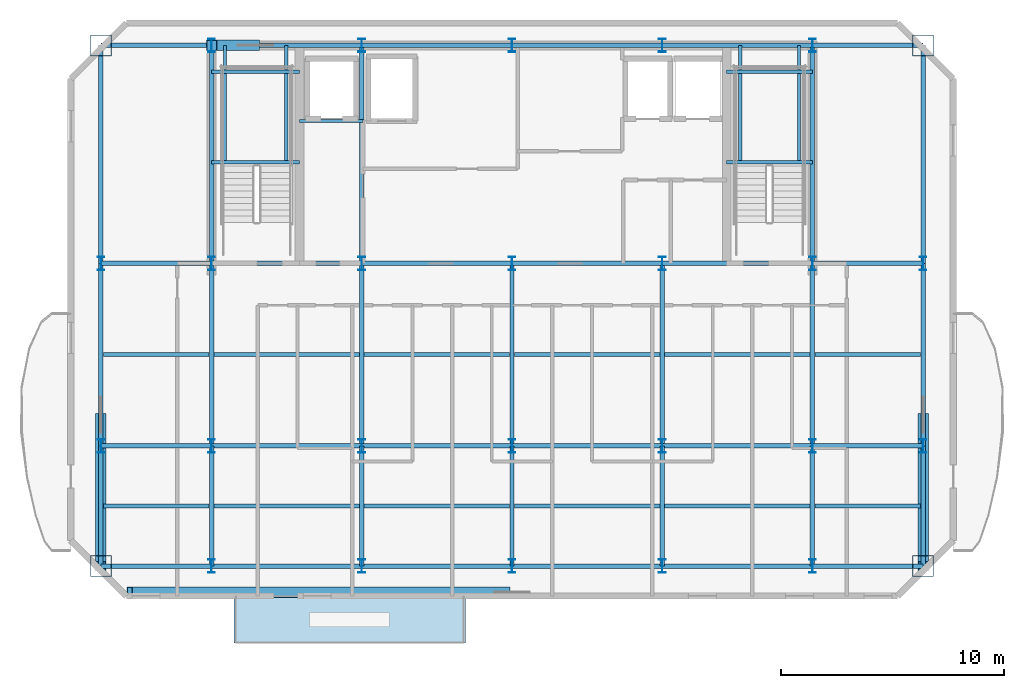
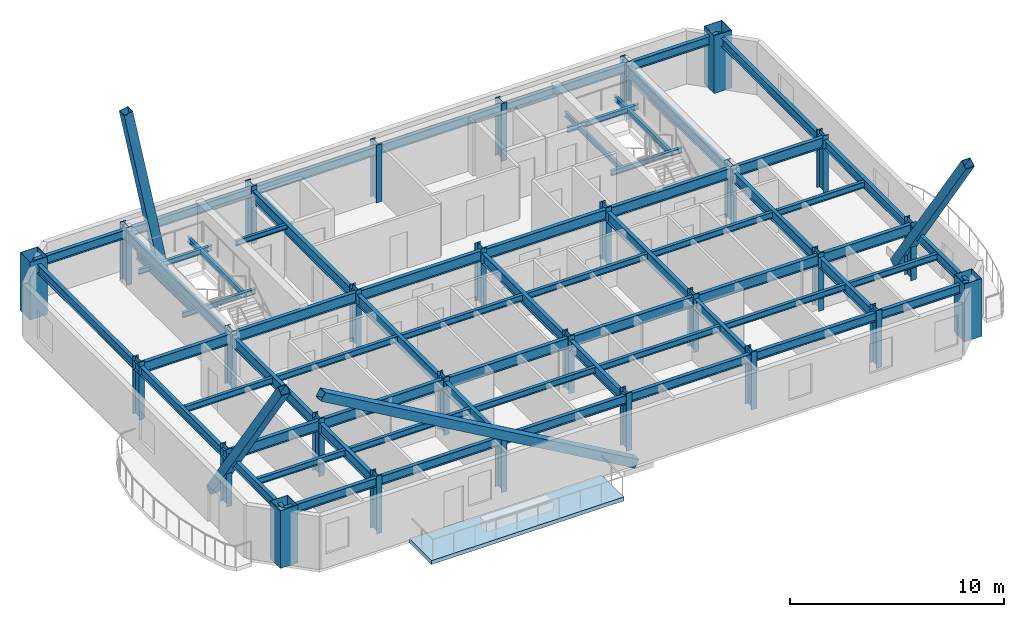
# One storey, part 1 of 6: 64 beams, 28 columns, 4 members, 1 slab.
"""IFC4 building model written with IfcOpenShell, lengths in metres."""

from ifc_helpers import new_model, si_unit, direction, frame, origin, origin_2d, place, context, subcontext, project, spatial, polyline, hollow_rectangle, i_section, outline, extrude, material, layer, layer_set, material_profile, profile_set, type_object, element, save


model = new_model("IFC4")

# Units and contexts
model_context = context("Model", 3, precision=1e-05, world=origin(), true_north=direction((0.0, 1.0)))
body_context = subcontext(model_context, "Body", "Model", "MODEL_VIEW")
ifc_project = project(units=[si_unit("LENGTHUNIT", "METRE"), si_unit("AREAUNIT", "SQUARE_METRE"), si_unit("VOLUMEUNIT", "CUBIC_METRE"), si_unit("PLANEANGLEUNIT", "RADIAN"), si_unit("MASSUNIT", "GRAM", prefix="KILO")], contexts=[model_context])

# Site, building, storey
site_placement = place(None, origin())
site = spatial("IfcSite", under=ifc_project, at=site_placement, CompositionType="ELEMENT")
building_placement = place(site_placement, origin())
building = spatial("IfcBuilding", under=site, at=building_placement, Name="Haevon Station Towers", CompositionType="ELEMENT")
storey_placement = place(building_placement, frame((0.0, 0.0, 249.300048828125)))
storey = spatial("IfcBuildingStorey", under=building, at=storey_placement, Name="L69", CompositionType="ELEMENT", Elevation=249.300048828125)

# Columns
ifc_material_1 = material(Name="Steel S460", Category="steel")
ifc_material_profile_1 = material_profile(ifc_material_1, hollow_rectangle(XDim=0.949951171875, YDim=0.949951171875, WallThickness=0.028076171875, at=origin_2d()), Name="BOX-950x950x28")
ifc_profile_set_1 = profile_set([ifc_material_profile_1], Name="Steel S460")
column_type_1 = type_object("IfcColumnType", Name="COL-MC6", PredefinedType="COLUMN", material=ifc_profile_set_1)
for number, where, z_axis, x_axis, name in (
    (1, (19.02490234375, 24.60009765625, 0.0), (0.0, 0.0, 1.0), (1.0, 0.0, 0.0), "COL-T1-L69-01-01"),
    (2, (19.02490234375, 48.0, 0.0), (0.0, 0.0, 1.0), (1.0, 0.0, 0.0), "COL-T1-L69-01-04"),
    (3, (55.97509765625, 24.60009765625, 0.0), (0.0, 0.0, 1.0), (1.0, 0.0, 0.0), "COL-T1-L69-07-01"),
    (4, (55.97509765625, 48.0, 0.0), (0.0, 0.0, 1.0), (1.0, 0.0, 0.0), "COL-T1-L69-07-04"),
):
    element("IfcColumn", number, at=place(storey_placement, frame(where, z_axis=z_axis, x_axis=x_axis)), inside=storey, type_object=column_type_1, Name=name, PredefinedType="COLUMN", context=body_context, shape_type="SweptSolid", body=[
        extrude(hollow_rectangle(XDim=0.949951171875, YDim=0.949951171875, WallThickness=0.028076171875, at=origin_2d()), origin(), (0.0, 0.0, 1.0), 3.300048828125),
    ])
ifc_material_2 = material(Name="Steel S355", Category="steel")
ifc_material_profile_2 = material_profile(ifc_material_2, i_section(OverallWidth=0.300048828125, OverallDepth=0.60009765625, WebThickness=0.013916015625, FlangeThickness=0.02490234375, at=origin_2d()), Name="H-600x300x14x25")
ifc_profile_set_2 = profile_set([ifc_material_profile_2], Name="Steel S355")
column_type_2 = type_object("IfcColumnType", Name="COL-TW4", PredefinedType="COLUMN", material=ifc_profile_set_2)
for number, where, z_axis, x_axis, name in (
    (5, (19.02490234375, 30.0, 0.0), (0.0, 0.0, 1.0), (1.0, 0.0, 0.0), "COL-T1-L69-01-02"),
    (6, (19.02490234375, 38.199951171875, 0.0), (0.0, 0.0, 1.0), (1.0, 0.0, 0.0), "COL-T1-L69-01-03"),
    (7, (24.0, 24.60009765625, 0.0), (0.0, 0.0, 1.0), (1.0, 0.0, 0.0), "COL-T1-L69-02-01"),
    (8, (24.0, 30.0, 0.0), (0.0, 0.0, 1.0), (1.0, 0.0, 0.0), "COL-T1-L69-02-02"),
    (9, (24.0, 38.199951171875, 0.0), (0.0, 0.0, 1.0), (1.0, 0.0, 0.0), "COL-T1-L69-02-03"),
    (10, (24.0, 48.0, 0.0), (0.0, 0.0, 1.0), (1.0, 0.0, 0.0), "COL-T1-L69-02-04"),
    (11, (30.75, 24.60009765625, 0.0), (0.0, 0.0, 1.0), (1.0, 0.0, 0.0), "COL-T1-L69-03-01"),
    (12, (30.75, 30.0, 0.0), (0.0, 0.0, 1.0), (1.0, 0.0, 0.0), "COL-T1-L69-03-02"),
    (13, (30.75, 38.199951171875, 0.0), (0.0, 0.0, 1.0), (1.0, 0.0, 0.0), "COL-T1-L69-03-03"),
    (14, (30.75, 48.0, 0.0), (0.0, 0.0, 1.0), (1.0, 0.0, 0.0), "COL-T1-L69-03-04"),
    (15, (37.5, 24.60009765625, 0.0), (0.0, 0.0, 1.0), (1.0, 0.0, 0.0), "COL-T1-L69-04-01"),
    (16, (37.5, 30.0, 0.0), (0.0, 0.0, 1.0), (1.0, 0.0, 0.0), "COL-T1-L69-04-02"),
    (17, (37.5, 38.199951171875, 0.0), (0.0, 0.0, 1.0), (1.0, 0.0, 0.0), "COL-T1-L69-04-03"),
    (18, (37.5, 48.0, 0.0), (0.0, 0.0, 1.0), (1.0, 0.0, 0.0), "COL-T1-L69-04-04"),
    (19, (44.25, 24.60009765625, 0.0), (0.0, 0.0, 1.0), (1.0, 0.0, 0.0), "COL-T1-L69-05-01"),
    (20, (44.25, 30.0, 0.0), (0.0, 0.0, 1.0), (1.0, 0.0, 0.0), "COL-T1-L69-05-02"),
    (21, (44.25, 38.199951171875, 0.0), (0.0, 0.0, 1.0), (1.0, 0.0, 0.0), "COL-T1-L69-05-03"),
    (22, (44.25, 48.0, 0.0), (0.0, 0.0, 1.0), (1.0, 0.0, 0.0), "COL-T1-L69-05-04"),
    (23, (51.0, 24.60009765625, 0.0), (0.0, 0.0, 1.0), (1.0, 0.0, 0.0), "COL-T1-L69-06-01"),
    (24, (51.0, 30.0, 0.0), (0.0, 0.0, 1.0), (1.0, 0.0, 0.0), "COL-T1-L69-06-02"),
    (25, (51.0, 38.199951171875, 0.0), (0.0, 0.0, 1.0), (1.0, 0.0, 0.0), "COL-T1-L69-06-03"),
    (26, (51.0, 48.0, 0.0), (0.0, 0.0, 1.0), (1.0, 0.0, 0.0), "COL-T1-L69-06-04"),
    (27, (55.97509765625, 30.0, 0.0), (0.0, 0.0, 1.0), (1.0, 0.0, 0.0), "COL-T1-L69-07-02"),
    (28, (55.97509765625, 38.199951171875, 0.0), (0.0, 0.0, 1.0), (1.0, 0.0, 0.0), "COL-T1-L69-07-03"),
):
    element("IfcColumn", number, at=place(storey_placement, frame(where, z_axis=z_axis, x_axis=x_axis)), inside=storey, type_object=column_type_2, Name=name, PredefinedType="COLUMN", context=body_context, shape_type="SweptSolid", body=[
        extrude(i_section(OverallWidth=0.300048828125, OverallDepth=0.60009765625, WebThickness=0.013916015625, FlangeThickness=0.02490234375, at=origin_2d()), origin(), (0.0, 0.0, 1.0), 3.300048828125),
    ])

# Beams
ifc_material_profile_3 = material_profile(ifc_material_2, i_section(OverallWidth=0.199951171875, OverallDepth=0.60009765625, WebThickness=0.010986328125, FlangeThickness=0.01708984375, at=origin_2d()), Name="H-600x200x11x17")
ifc_profile_set_3 = profile_set([ifc_material_profile_3], Name="Steel S355")
beam_type_1 = type_object("IfcBeamType", Name="BM-G600", PredefinedType="BEAM", material=ifc_profile_set_3)
beam_1_placement = place(storey_placement, frame((19.02490234375, 30.0, 2.75), z_axis=(1.0, 0.0, 0.0), x_axis=(0.0, 1.0, 0.0)))
element("IfcBeam", 29, at=beam_1_placement, inside=storey, type_object=beam_type_1, Name="BM-T1U-L69-02-01", PredefinedType="BEAM", context=body_context, shape_type="SweptSolid", body=[
    extrude(i_section(OverallWidth=0.199951171875, OverallDepth=0.60009765625, WebThickness=0.010986328125, FlangeThickness=0.01708984375, at=origin_2d()), origin(), (0.0, 0.0, 1.0), 4.97509765625),
])
for number, where, z_axis, x_axis, name in (
    (30, (24.0, 30.0, 2.75), (1.0, 0.0, 0.0), (0.0, 1.0, 0.0), "BM-T1U-L69-02-02"),
    (31, (30.75, 30.0, 2.75), (1.0, 0.0, 0.0), (0.0, 1.0, 0.0), "BM-T1U-L69-02-03"),
    (32, (37.5, 30.0, 2.75), (1.0, 0.0, 0.0), (0.0, 1.0, 0.0), "BM-T1U-L69-02-04"),
    (33, (44.25, 30.0, 2.75), (1.0, 0.0, 0.0), (0.0, 1.0, 0.0), "BM-T1U-L69-02-05"),
):
    element("IfcBeam", number, at=place(storey_placement, frame(where, z_axis=z_axis, x_axis=x_axis)), inside=storey, type_object=beam_type_1, Name=name, PredefinedType="BEAM", context=body_context, shape_type="SweptSolid", body=[
        extrude(i_section(OverallWidth=0.199951171875, OverallDepth=0.60009765625, WebThickness=0.010986328125, FlangeThickness=0.01708984375, at=origin_2d()), origin(), (0.0, 0.0, 1.0), 6.75),
    ])
for number, where, z_axis, x_axis, name in (
    (34, (51.0, 30.0, 2.75), (1.0, 0.0, 0.0), (0.0, 1.0, 0.0), "BM-T1U-L69-02-06"),
    (35, (19.02490234375, 38.199951171875, 2.75), (1.0, 0.0, 0.0), (0.0, 1.0, 0.0), "BM-T1U-L69-03-01"),
):
    element("IfcBeam", number, at=place(storey_placement, frame(where, z_axis=z_axis, x_axis=x_axis)), inside=storey, type_object=beam_type_1, Name=name, PredefinedType="BEAM", context=body_context, shape_type="SweptSolid", body=[
        extrude(i_section(OverallWidth=0.199951171875, OverallDepth=0.60009765625, WebThickness=0.010986328125, FlangeThickness=0.01708984375, at=origin_2d()), origin(), (0.0, 0.0, 1.0), 4.97509765625),
    ])
for number, where, z_axis, x_axis, name in (
    (36, (24.0, 38.199951171875, 2.75), (1.0, 0.0, 0.0), (0.0, 1.0, 0.0), "BM-T1U-L69-03-02"),
    (37, (30.75, 38.199951171875, 2.75), (1.0, 0.0, 0.0), (0.0, 1.0, 0.0), "BM-T1U-L69-03-03"),
    (38, (37.5, 38.199951171875, 2.75), (1.0, 0.0, 0.0), (0.0, 1.0, 0.0), "BM-T1U-L69-03-04"),
    (39, (44.25, 38.199951171875, 2.75), (1.0, 0.0, 0.0), (0.0, 1.0, 0.0), "BM-T1U-L69-03-05"),
):
    element("IfcBeam", number, at=place(storey_placement, frame(where, z_axis=z_axis, x_axis=x_axis)), inside=storey, type_object=beam_type_1, Name=name, PredefinedType="BEAM", context=body_context, shape_type="SweptSolid", body=[
        extrude(i_section(OverallWidth=0.199951171875, OverallDepth=0.60009765625, WebThickness=0.010986328125, FlangeThickness=0.01708984375, at=origin_2d()), origin(), (0.0, 0.0, 1.0), 6.75),
    ])
beam_2_placement = place(storey_placement, frame((51.0, 38.199951171875, 2.75), z_axis=(1.0, 0.0, 0.0), x_axis=(0.0, 1.0, 0.0)))
element("IfcBeam", 40, at=beam_2_placement, inside=storey, type_object=beam_type_1, Name="BM-T1U-L69-03-06", PredefinedType="BEAM", context=body_context, shape_type="SweptSolid", body=[
    extrude(i_section(OverallWidth=0.199951171875, OverallDepth=0.60009765625, WebThickness=0.010986328125, FlangeThickness=0.01708984375, at=origin_2d()), origin(), (0.0, 0.0, 1.0), 4.97509765625),
])
beam_3_placement = place(storey_placement, frame((24.0, 24.60009765625, 2.75), z_axis=(0.0, 1.0, 0.0), x_axis=(-1.0, 0.0, 0.0)))
element("IfcBeam", 41, at=beam_3_placement, inside=storey, type_object=beam_type_1, Name="BM-T1V-L69-02-01", PredefinedType="BEAM", context=body_context, shape_type="SweptSolid", body=[
    extrude(i_section(OverallWidth=0.199951171875, OverallDepth=0.60009765625, WebThickness=0.010986328125, FlangeThickness=0.01708984375, at=origin_2d()), origin(), (0.0, 0.0, 1.0), 5.39990234375),
])
beam_4_placement = place(storey_placement, frame((24.0, 30.0, 2.75), z_axis=(0.0, 1.0, 0.0), x_axis=(-1.0, 0.0, 0.0)))
element("IfcBeam", 42, at=beam_4_placement, inside=storey, type_object=beam_type_1, Name="BM-T1V-L69-02-02", PredefinedType="BEAM", context=body_context, shape_type="SweptSolid", body=[
    extrude(i_section(OverallWidth=0.199951171875, OverallDepth=0.60009765625, WebThickness=0.010986328125, FlangeThickness=0.01708984375, at=origin_2d()), origin(), (0.0, 0.0, 1.0), 8.199951171875),
])
beam_5_placement = place(storey_placement, frame((24.0, 38.199951171875, 2.75), z_axis=(0.0, 1.0, 0.0), x_axis=(-1.0, 0.0, 0.0)))
element("IfcBeam", 43, at=beam_5_placement, inside=storey, type_object=beam_type_1, Name="BM-T1V-L69-02-03", PredefinedType="BEAM", context=body_context, shape_type="SweptSolid", body=[
    extrude(i_section(OverallWidth=0.199951171875, OverallDepth=0.60009765625, WebThickness=0.010986328125, FlangeThickness=0.01708984375, at=origin_2d()), origin(), (0.0, 0.0, 1.0), 9.800048828125),
])
beam_6_placement = place(storey_placement, frame((30.75, 24.60009765625, 2.75), z_axis=(0.0, 1.0, 0.0), x_axis=(-1.0, 0.0, 0.0)))
element("IfcBeam", 44, at=beam_6_placement, inside=storey, type_object=beam_type_1, Name="BM-T1V-L69-03-01", PredefinedType="BEAM", context=body_context, shape_type="SweptSolid", body=[
    extrude(i_section(OverallWidth=0.199951171875, OverallDepth=0.60009765625, WebThickness=0.010986328125, FlangeThickness=0.01708984375, at=origin_2d()), origin(), (0.0, 0.0, 1.0), 5.39990234375),
])
beam_7_placement = place(storey_placement, frame((30.75, 30.0, 2.75), z_axis=(0.0, 1.0, 0.0), x_axis=(-1.0, 0.0, 0.0)))
element("IfcBeam", 45, at=beam_7_placement, inside=storey, type_object=beam_type_1, Name="BM-T1V-L69-03-02", PredefinedType="BEAM", context=body_context, shape_type="SweptSolid", body=[
    extrude(i_section(OverallWidth=0.199951171875, OverallDepth=0.60009765625, WebThickness=0.010986328125, FlangeThickness=0.01708984375, at=origin_2d()), origin(), (0.0, 0.0, 1.0), 8.199951171875),
])
beam_8_placement = place(storey_placement, frame((30.75, 38.199951171875, 2.75), z_axis=(0.0, 1.0, 0.0), x_axis=(-1.0, 0.0, 0.0)))
element("IfcBeam", 46, at=beam_8_placement, inside=storey, type_object=beam_type_1, Name="BM-T1V-L69-03-03", PredefinedType="BEAM", context=body_context, shape_type="SweptSolid", body=[
    extrude(i_section(OverallWidth=0.199951171875, OverallDepth=0.60009765625, WebThickness=0.010986328125, FlangeThickness=0.01708984375, at=origin_2d()), origin(), (0.0, 0.0, 1.0), 9.800048828125),
])
beam_9_placement = place(storey_placement, frame((37.5, 24.60009765625, 2.75), z_axis=(0.0, 1.0, 0.0), x_axis=(-1.0, 0.0, 0.0)))
element("IfcBeam", 47, at=beam_9_placement, inside=storey, type_object=beam_type_1, Name="BM-T1V-L69-04-01", PredefinedType="BEAM", context=body_context, shape_type="SweptSolid", body=[
    extrude(i_section(OverallWidth=0.199951171875, OverallDepth=0.60009765625, WebThickness=0.010986328125, FlangeThickness=0.01708984375, at=origin_2d()), origin(), (0.0, 0.0, 1.0), 5.39990234375),
])
beam_10_placement = place(storey_placement, frame((37.5, 30.0, 2.75), z_axis=(0.0, 1.0, 0.0), x_axis=(-1.0, 0.0, 0.0)))
element("IfcBeam", 48, at=beam_10_placement, inside=storey, type_object=beam_type_1, Name="BM-T1V-L69-04-02", PredefinedType="BEAM", context=body_context, shape_type="SweptSolid", body=[
    extrude(i_section(OverallWidth=0.199951171875, OverallDepth=0.60009765625, WebThickness=0.010986328125, FlangeThickness=0.01708984375, at=origin_2d()), origin(), (0.0, 0.0, 1.0), 8.199951171875),
])
beam_11_placement = place(storey_placement, frame((44.25, 24.60009765625, 2.75), z_axis=(0.0, 1.0, 0.0), x_axis=(-1.0, 0.0, 0.0)))
element("IfcBeam", 49, at=beam_11_placement, inside=storey, type_object=beam_type_1, Name="BM-T1V-L69-05-01", PredefinedType="BEAM", context=body_context, shape_type="SweptSolid", body=[
    extrude(i_section(OverallWidth=0.199951171875, OverallDepth=0.60009765625, WebThickness=0.010986328125, FlangeThickness=0.01708984375, at=origin_2d()), origin(), (0.0, 0.0, 1.0), 5.39990234375),
])
beam_12_placement = place(storey_placement, frame((44.25, 30.0, 2.75), z_axis=(0.0, 1.0, 0.0), x_axis=(-1.0, 0.0, 0.0)))
element("IfcBeam", 50, at=beam_12_placement, inside=storey, type_object=beam_type_1, Name="BM-T1V-L69-05-02", PredefinedType="BEAM", context=body_context, shape_type="SweptSolid", body=[
    extrude(i_section(OverallWidth=0.199951171875, OverallDepth=0.60009765625, WebThickness=0.010986328125, FlangeThickness=0.01708984375, at=origin_2d()), origin(), (0.0, 0.0, 1.0), 8.199951171875),
])
beam_13_placement = place(storey_placement, frame((51.0, 24.60009765625, 2.75), z_axis=(0.0, 1.0, 0.0), x_axis=(-1.0, 0.0, 0.0)))
element("IfcBeam", 51, at=beam_13_placement, inside=storey, type_object=beam_type_1, Name="BM-T1V-L69-06-01", PredefinedType="BEAM", context=body_context, shape_type="SweptSolid", body=[
    extrude(i_section(OverallWidth=0.199951171875, OverallDepth=0.60009765625, WebThickness=0.010986328125, FlangeThickness=0.01708984375, at=origin_2d()), origin(), (0.0, 0.0, 1.0), 5.39990234375),
])
beam_14_placement = place(storey_placement, frame((51.0, 30.0, 2.75), z_axis=(0.0, 1.0, 0.0), x_axis=(-1.0, 0.0, 0.0)))
element("IfcBeam", 52, at=beam_14_placement, inside=storey, type_object=beam_type_1, Name="BM-T1V-L69-06-02", PredefinedType="BEAM", context=body_context, shape_type="SweptSolid", body=[
    extrude(i_section(OverallWidth=0.199951171875, OverallDepth=0.60009765625, WebThickness=0.010986328125, FlangeThickness=0.01708984375, at=origin_2d()), origin(), (0.0, 0.0, 1.0), 8.199951171875),
])
beam_15_placement = place(storey_placement, frame((51.0, 38.199951171875, 2.75), z_axis=(0.0, 1.0, 0.0), x_axis=(-1.0, 0.0, 0.0)))
element("IfcBeam", 53, at=beam_15_placement, inside=storey, type_object=beam_type_1, Name="BM-T1V-L69-06-03", PredefinedType="BEAM", context=body_context, shape_type="SweptSolid", body=[
    extrude(i_section(OverallWidth=0.199951171875, OverallDepth=0.60009765625, WebThickness=0.010986328125, FlangeThickness=0.01708984375, at=origin_2d()), origin(), (0.0, 0.0, 1.0), 9.800048828125),
])
ifc_material_profile_4 = material_profile(ifc_material_2, i_section(OverallWidth=0.175048828125, OverallDepth=0.35009765625, WebThickness=0.007080078125, FlangeThickness=0.010986328125, at=origin_2d()), Name="H-350x175x7x11")
ifc_profile_set_4 = profile_set([ifc_material_profile_4], Name="Steel S355")
beam_type_2 = type_object("IfcBeamType", Name="BM-J350", PredefinedType="JOIST", material=ifc_profile_set_4)
beam_16_placement = place(storey_placement, frame((19.135009765625, 27.300048828125, 2.875), z_axis=(1.0, 0.0, 0.0), x_axis=(0.0, 1.0, 0.0)))
element("IfcBeam", 54, at=beam_16_placement, inside=storey, type_object=beam_type_2, Name="BM-T1J-L69-01-01", PredefinedType="JOIST", context=body_context, shape_type="SweptSolid", body=[
    extrude(i_section(OverallWidth=0.175048828125, OverallDepth=0.35009765625, WebThickness=0.007080078125, FlangeThickness=0.010986328125, at=origin_2d()), origin(), (0.0, 0.0, 1.0), 4.7548828125),
])
for number, where, z_axis, x_axis, name in (
    (55, (24.110107421875, 27.300048828125, 2.875), (1.0, 0.0, 0.0), (0.0, 1.0, 0.0), "BM-T1J-L69-01-02"),
    (56, (30.860107421875, 27.300048828125, 2.875), (1.0, 0.0, 0.0), (0.0, 1.0, 0.0), "BM-T1J-L69-01-03"),
    (57, (37.610107421875, 27.300048828125, 2.875), (1.0, 0.0, 0.0), (0.0, 1.0, 0.0), "BM-T1J-L69-01-04"),
    (58, (44.360107421875, 27.300048828125, 2.875), (1.0, 0.0, 0.0), (0.0, 1.0, 0.0), "BM-T1J-L69-01-05"),
):
    element("IfcBeam", number, at=place(storey_placement, frame(where, z_axis=z_axis, x_axis=x_axis)), inside=storey, type_object=beam_type_2, Name=name, PredefinedType="JOIST", context=body_context, shape_type="SweptSolid", body=[
        extrude(i_section(OverallWidth=0.175048828125, OverallDepth=0.35009765625, WebThickness=0.007080078125, FlangeThickness=0.010986328125, at=origin_2d()), origin(), (0.0, 0.0, 1.0), 6.52978515625),
    ])
for number, where, z_axis, x_axis, name in (
    (59, (51.110107421875, 27.300048828125, 2.875), (1.0, 0.0, 0.0), (0.0, 1.0, 0.0), "BM-T1J-L69-01-06"),
    (60, (19.135009765625, 34.10009765625, 2.875), (1.0, 0.0, 0.0), (0.0, 1.0, 0.0), "BM-T1J-L69-02-01"),
):
    element("IfcBeam", number, at=place(storey_placement, frame(where, z_axis=z_axis, x_axis=x_axis)), inside=storey, type_object=beam_type_2, Name=name, PredefinedType="JOIST", context=body_context, shape_type="SweptSolid", body=[
        extrude(i_section(OverallWidth=0.175048828125, OverallDepth=0.35009765625, WebThickness=0.007080078125, FlangeThickness=0.010986328125, at=origin_2d()), origin(), (0.0, 0.0, 1.0), 4.7548828125),
    ])
for number, where, z_axis, x_axis, name in (
    (61, (24.110107421875, 34.10009765625, 2.875), (1.0, 0.0, 0.0), (0.0, 1.0, 0.0), "BM-T1J-L69-02-02"),
    (62, (30.860107421875, 34.10009765625, 2.875), (1.0, 0.0, 0.0), (0.0, 1.0, 0.0), "BM-T1J-L69-02-03"),
    (63, (37.610107421875, 34.10009765625, 2.875), (1.0, 0.0, 0.0), (0.0, 1.0, 0.0), "BM-T1J-L69-02-04"),
    (64, (44.360107421875, 34.10009765625, 2.875), (1.0, 0.0, 0.0), (0.0, 1.0, 0.0), "BM-T1J-L69-02-05"),
):
    element("IfcBeam", number, at=place(storey_placement, frame(where, z_axis=z_axis, x_axis=x_axis)), inside=storey, type_object=beam_type_2, Name=name, PredefinedType="JOIST", context=body_context, shape_type="SweptSolid", body=[
        extrude(i_section(OverallWidth=0.175048828125, OverallDepth=0.35009765625, WebThickness=0.007080078125, FlangeThickness=0.010986328125, at=origin_2d()), origin(), (0.0, 0.0, 1.0), 6.52978515625),
    ])
beam_17_placement = place(storey_placement, frame((51.110107421875, 34.10009765625, 2.875), z_axis=(1.0, 0.0, 0.0), x_axis=(0.0, 1.0, 0.0)))
element("IfcBeam", 65, at=beam_17_placement, inside=storey, type_object=beam_type_2, Name="BM-T1J-L69-02-06", PredefinedType="JOIST", context=body_context, shape_type="SweptSolid", body=[
    extrude(i_section(OverallWidth=0.175048828125, OverallDepth=0.35009765625, WebThickness=0.007080078125, FlangeThickness=0.010986328125, at=origin_2d()), origin(), (0.0, 0.0, 1.0), 4.7548828125),
])
ifc_material_profile_5 = material_profile(ifc_material_2, i_section(OverallWidth=0.14990234375, OverallDepth=0.300048828125, WebThickness=0.006591796875, FlangeThickness=0.009033203125, at=origin_2d()), Name="H-300x150x6.5x9")
ifc_profile_set_5 = profile_set([ifc_material_profile_5], Name="Steel S355")
beam_type_3 = type_object("IfcBeamType", Name="BM-LIN300", PredefinedType="LINTEL", material=ifc_profile_set_5)
for number, where, z_axis, x_axis, name in (
    (66, (24.0, 42.743896484375, 1.300048828125), (1.0, 0.0, 0.0), (0.0, 1.0, 0.0), "BM-ST1L-L69-1-S"),
    (67, (24.0, 46.820068359375, 1.300048828125), (1.0, 0.0, 0.0), (0.0, 1.0, 0.0), "BM-ST1L-L69-1-N"),
):
    element("IfcBeam", number, at=place(storey_placement, frame(where, z_axis=z_axis, x_axis=x_axis)), inside=storey, type_object=beam_type_3, Name=name, PredefinedType="LINTEL", context=body_context, shape_type="SweptSolid", body=[
        extrude(i_section(OverallWidth=0.14990234375, OverallDepth=0.300048828125, WebThickness=0.006591796875, FlangeThickness=0.009033203125, at=origin_2d()), origin(), (0.0, 0.0, 1.0), 3.949951171875),
    ])
for number, where, z_axis, x_axis, name in (
    (68, (24.60009765625, 42.743896484375, 1.300048828125), (0.0, 1.0, 0.0), (-1.0, 0.0, 0.0), "BM-ST1L-L69-1-W"),
    (69, (27.35009765625, 42.743896484375, 1.300048828125), (0.0, 1.0, 0.0), (-1.0, 0.0, 0.0), "BM-ST1L-L69-1-E"),
):
    element("IfcBeam", number, at=place(storey_placement, frame(where, z_axis=z_axis, x_axis=x_axis)), inside=storey, type_object=beam_type_3, Name=name, PredefinedType="LINTEL", context=body_context, shape_type="SweptSolid", body=[
        extrude(i_section(OverallWidth=0.14990234375, OverallDepth=0.300048828125, WebThickness=0.006591796875, FlangeThickness=0.009033203125, at=origin_2d()), origin(), (0.0, 0.0, 1.0), 5.256103515625),
    ])
for number, where, z_axis, x_axis, name in (
    (70, (47.14990234375, 42.743896484375, 1.300048828125), (1.0, 0.0, 0.0), (0.0, 1.0, 0.0), "BM-ST2L-L69-1-S"),
    (71, (47.14990234375, 46.820068359375, 1.300048828125), (1.0, 0.0, 0.0), (0.0, 1.0, 0.0), "BM-ST2L-L69-1-N"),
):
    element("IfcBeam", number, at=place(storey_placement, frame(where, z_axis=z_axis, x_axis=x_axis)), inside=storey, type_object=beam_type_3, Name=name, PredefinedType="LINTEL", context=body_context, shape_type="SweptSolid", body=[
        extrude(i_section(OverallWidth=0.14990234375, OverallDepth=0.300048828125, WebThickness=0.006591796875, FlangeThickness=0.009033203125, at=origin_2d()), origin(), (0.0, 0.0, 1.0), 3.85009765625),
    ])
for number, where, z_axis, x_axis, name in (
    (72, (47.75, 42.743896484375, 1.300048828125), (0.0, 1.0, 0.0), (-1.0, 0.0, 0.0), "BM-ST2L-L69-1-W"),
    (73, (50.39990234375, 42.743896484375, 1.300048828125), (0.0, 1.0, 0.0), (-1.0, 0.0, 0.0), "BM-ST2L-L69-1-E"),
):
    element("IfcBeam", number, at=place(storey_placement, frame(where, z_axis=z_axis, x_axis=x_axis)), inside=storey, type_object=beam_type_3, Name=name, PredefinedType="LINTEL", context=body_context, shape_type="SweptSolid", body=[
        extrude(i_section(OverallWidth=0.14990234375, OverallDepth=0.300048828125, WebThickness=0.006591796875, FlangeThickness=0.009033203125, at=origin_2d()), origin(), (0.0, 0.0, 1.0), 5.256103515625),
    ])
beam_18_placement = place(storey_placement, frame((27.949951171875, 44.60009765625, 2.89990234375), z_axis=(1.0, 0.0, 0.0), x_axis=(0.0, 1.0, 0.0)))
element("IfcBeam", 74, at=beam_18_placement, inside=storey, type_object=beam_type_3, Name="BM-T1LIN-L69", PredefinedType="LINTEL", context=body_context, shape_type="SweptSolid", body=[
    extrude(i_section(OverallWidth=0.14990234375, OverallDepth=0.300048828125, WebThickness=0.006591796875, FlangeThickness=0.009033203125, at=origin_2d()), origin(), (0.0, 0.0, 1.0), 2.85009765625),
])
ifc_material_profile_6 = material_profile(ifc_material_2, i_section(OverallWidth=0.199951171875, OverallDepth=0.5, WebThickness=0.010009765625, FlangeThickness=0.01611328125, at=origin_2d()), Name="H-500x200x10x16")
ifc_profile_set_6 = profile_set([ifc_material_profile_6], Name="Steel S355")
beam_type_4 = type_object("IfcBeamType", Name="BM-SP500", PredefinedType="SPANDREL", material=ifc_profile_set_6)
beam_19_placement = place(storey_placement, frame((19.02490234375, 24.60009765625, 2.800048828125), z_axis=(1.0, 0.0, 0.0), x_axis=(0.0, 1.0, 0.0)))
element("IfcBeam", 75, at=beam_19_placement, inside=storey, type_object=beam_type_4, Name="BM-T1U-L69-01-01", PredefinedType="SPANDREL", context=body_context, shape_type="SweptSolid", body=[
    extrude(i_section(OverallWidth=0.199951171875, OverallDepth=0.5, WebThickness=0.010009765625, FlangeThickness=0.01611328125, at=origin_2d()), origin(), (0.0, 0.0, 1.0), 4.97509765625),
])
for number, where, z_axis, x_axis, name in (
    (76, (24.0, 24.60009765625, 2.800048828125), (1.0, 0.0, 0.0), (0.0, 1.0, 0.0), "BM-T1U-L69-01-02"),
    (77, (30.75, 24.60009765625, 2.800048828125), (1.0, 0.0, 0.0), (0.0, 1.0, 0.0), "BM-T1U-L69-01-03"),
    (78, (37.5, 24.60009765625, 2.800048828125), (1.0, 0.0, 0.0), (0.0, 1.0, 0.0), "BM-T1U-L69-01-04"),
    (79, (44.25, 24.60009765625, 2.800048828125), (1.0, 0.0, 0.0), (0.0, 1.0, 0.0), "BM-T1U-L69-01-05"),
):
    element("IfcBeam", number, at=place(storey_placement, frame(where, z_axis=z_axis, x_axis=x_axis)), inside=storey, type_object=beam_type_4, Name=name, PredefinedType="SPANDREL", context=body_context, shape_type="SweptSolid", body=[
        extrude(i_section(OverallWidth=0.199951171875, OverallDepth=0.5, WebThickness=0.010009765625, FlangeThickness=0.01611328125, at=origin_2d()), origin(), (0.0, 0.0, 1.0), 6.75),
    ])
for number, where, z_axis, x_axis, name in (
    (80, (51.0, 24.60009765625, 2.800048828125), (1.0, 0.0, 0.0), (0.0, 1.0, 0.0), "BM-T1U-L69-01-06"),
    (81, (19.02490234375, 48.0, 2.800048828125), (1.0, 0.0, 0.0), (0.0, 1.0, 0.0), "BM-T1U-L69-04-01"),
):
    element("IfcBeam", number, at=place(storey_placement, frame(where, z_axis=z_axis, x_axis=x_axis)), inside=storey, type_object=beam_type_4, Name=name, PredefinedType="SPANDREL", context=body_context, shape_type="SweptSolid", body=[
        extrude(i_section(OverallWidth=0.199951171875, OverallDepth=0.5, WebThickness=0.010009765625, FlangeThickness=0.01611328125, at=origin_2d()), origin(), (0.0, 0.0, 1.0), 4.97509765625),
    ])
for number, where, z_axis, x_axis, name in (
    (82, (24.0, 48.0, 2.800048828125), (1.0, 0.0, 0.0), (0.0, 1.0, 0.0), "BM-T1U-L69-04-02"),
    (83, (30.75, 48.0, 2.800048828125), (1.0, 0.0, 0.0), (0.0, 1.0, 0.0), "BM-T1U-L69-04-03"),
    (84, (37.5, 48.0, 2.800048828125), (1.0, 0.0, 0.0), (0.0, 1.0, 0.0), "BM-T1U-L69-04-04"),
    (85, (44.25, 48.0, 2.800048828125), (1.0, 0.0, 0.0), (0.0, 1.0, 0.0), "BM-T1U-L69-04-05"),
):
    element("IfcBeam", number, at=place(storey_placement, frame(where, z_axis=z_axis, x_axis=x_axis)), inside=storey, type_object=beam_type_4, Name=name, PredefinedType="SPANDREL", context=body_context, shape_type="SweptSolid", body=[
        extrude(i_section(OverallWidth=0.199951171875, OverallDepth=0.5, WebThickness=0.010009765625, FlangeThickness=0.01611328125, at=origin_2d()), origin(), (0.0, 0.0, 1.0), 6.75),
    ])
beam_20_placement = place(storey_placement, frame((51.0, 48.0, 2.800048828125), z_axis=(1.0, 0.0, 0.0), x_axis=(0.0, 1.0, 0.0)))
element("IfcBeam", 86, at=beam_20_placement, inside=storey, type_object=beam_type_4, Name="BM-T1U-L69-04-06", PredefinedType="SPANDREL", context=body_context, shape_type="SweptSolid", body=[
    extrude(i_section(OverallWidth=0.199951171875, OverallDepth=0.5, WebThickness=0.010009765625, FlangeThickness=0.01611328125, at=origin_2d()), origin(), (0.0, 0.0, 1.0), 4.97509765625),
])
beam_21_placement = place(storey_placement, frame((19.02490234375, 24.60009765625, 2.800048828125), z_axis=(0.0, 1.0, 0.0), x_axis=(-1.0, 0.0, 0.0)))
element("IfcBeam", 87, at=beam_21_placement, inside=storey, type_object=beam_type_4, Name="BM-T1V-L69-01-01", PredefinedType="SPANDREL", context=body_context, shape_type="SweptSolid", body=[
    extrude(i_section(OverallWidth=0.199951171875, OverallDepth=0.5, WebThickness=0.010009765625, FlangeThickness=0.01611328125, at=origin_2d()), origin(), (0.0, 0.0, 1.0), 5.39990234375),
])
beam_22_placement = place(storey_placement, frame((19.02490234375, 30.0, 2.800048828125), z_axis=(0.0, 1.0, 0.0), x_axis=(-1.0, 0.0, 0.0)))
element("IfcBeam", 88, at=beam_22_placement, inside=storey, type_object=beam_type_4, Name="BM-T1V-L69-01-02", PredefinedType="SPANDREL", context=body_context, shape_type="SweptSolid", body=[
    extrude(i_section(OverallWidth=0.199951171875, OverallDepth=0.5, WebThickness=0.010009765625, FlangeThickness=0.01611328125, at=origin_2d()), origin(), (0.0, 0.0, 1.0), 8.199951171875),
])
beam_23_placement = place(storey_placement, frame((19.02490234375, 38.199951171875, 2.800048828125), z_axis=(0.0, 1.0, 0.0), x_axis=(-1.0, 0.0, 0.0)))
element("IfcBeam", 89, at=beam_23_placement, inside=storey, type_object=beam_type_4, Name="BM-T1V-L69-01-03", PredefinedType="SPANDREL", context=body_context, shape_type="SweptSolid", body=[
    extrude(i_section(OverallWidth=0.199951171875, OverallDepth=0.5, WebThickness=0.010009765625, FlangeThickness=0.01611328125, at=origin_2d()), origin(), (0.0, 0.0, 1.0), 9.800048828125),
])
beam_24_placement = place(storey_placement, frame((55.97509765625, 24.60009765625, 2.800048828125), z_axis=(0.0, 1.0, 0.0), x_axis=(-1.0, 0.0, 0.0)))
element("IfcBeam", 90, at=beam_24_placement, inside=storey, type_object=beam_type_4, Name="BM-T1V-L69-07-01", PredefinedType="SPANDREL", context=body_context, shape_type="SweptSolid", body=[
    extrude(i_section(OverallWidth=0.199951171875, OverallDepth=0.5, WebThickness=0.010009765625, FlangeThickness=0.01611328125, at=origin_2d()), origin(), (0.0, 0.0, 1.0), 5.39990234375),
])
beam_25_placement = place(storey_placement, frame((55.97509765625, 30.0, 2.800048828125), z_axis=(0.0, 1.0, 0.0), x_axis=(-1.0, 0.0, 0.0)))
element("IfcBeam", 91, at=beam_25_placement, inside=storey, type_object=beam_type_4, Name="BM-T1V-L69-07-02", PredefinedType="SPANDREL", context=body_context, shape_type="SweptSolid", body=[
    extrude(i_section(OverallWidth=0.199951171875, OverallDepth=0.5, WebThickness=0.010009765625, FlangeThickness=0.01611328125, at=origin_2d()), origin(), (0.0, 0.0, 1.0), 8.199951171875),
])
beam_26_placement = place(storey_placement, frame((55.97509765625, 38.199951171875, 2.800048828125), z_axis=(0.0, 1.0, 0.0), x_axis=(-1.0, 0.0, 0.0)))
element("IfcBeam", 92, at=beam_26_placement, inside=storey, type_object=beam_type_4, Name="BM-T1V-L69-07-03", PredefinedType="SPANDREL", context=body_context, shape_type="SweptSolid", body=[
    extrude(i_section(OverallWidth=0.199951171875, OverallDepth=0.5, WebThickness=0.010009765625, FlangeThickness=0.01611328125, at=origin_2d()), origin(), (0.0, 0.0, 1.0), 9.800048828125),
])

# Members
ifc_material_profile_7 = material_profile(ifc_material_1, hollow_rectangle(XDim=0.47998046875, YDim=0.47998046875, WallThickness=0.02490234375, at=origin_2d()), Name="RHS-480x480x25")
ifc_profile_set_7 = profile_set([ifc_material_profile_7], Name="Steel S460")
member_type = type_object("IfcMemberType", Name="MB-480", PredefinedType="BRACE", material=ifc_profile_set_7)
member_1_placement = place(storey_placement, frame((37.281494140625, 23.429931640625, -0.00927734375), z_axis=(-0.866701587293, 0.0, 0.498826982614), x_axis=(0.0, -1.0, 0.0)))
element("IfcMember", 93, at=member_1_placement, inside=storey, type_object=member_type, Name="BR-T1MB-T10-S-D2B", PredefinedType="BRACE", context=body_context, shape_type="SweptSolid", body=[
    extrude(hollow_rectangle(XDim=0.47998046875, YDim=0.47998046875, WallThickness=0.02490234375, at=origin_2d()), origin(), (0.0, 0.0, 1.0), 19.564453125),
])
member_2_placement = place(storey_placement, frame((25.925537109375, 48.0, 0.112060546875), z_axis=(-0.195915497788, 0.0, 0.980620781815), x_axis=(0.0, -1.0, 0.0)))
element("IfcMember", 94, at=member_2_placement, inside=storey, type_object=member_type, Name="BR-T1MB-T10-N-D2B", PredefinedType="BRACE", context=body_context, shape_type="SweptSolid", body=[
    extrude(hollow_rectangle(XDim=0.47998046875, YDim=0.47998046875, WallThickness=0.02490234375, at=origin_2d()), origin(), (0.0, 0.0, 1.0), 9.828369140625),
])
for number, where, z_axis, x_axis, name in (
    (95, (19.02490234375, 31.257080078125, 0.072509765625), (0.0, -0.566743158826, 0.823894527184), (1.0, 0.0, 0.0), "BR-T1MB-T10-W-D2B"),
    (96, (55.97509765625, 31.257080078125, 0.072509765625), (0.0, -0.566743158826, 0.823894527184), (1.0, 0.0, 0.0), "BR-T1MB-T10-E-D2B"),
):
    element("IfcMember", number, at=place(storey_placement, frame(where, z_axis=z_axis, x_axis=x_axis)), inside=storey, type_object=member_type, Name=name, PredefinedType="BRACE", context=body_context, shape_type="SweptSolid", body=[
        extrude(hollow_rectangle(XDim=0.47998046875, YDim=0.47998046875, WallThickness=0.02490234375, at=origin_2d()), origin(), (0.0, 0.0, 1.0), 11.74609375),
    ])

# Slab
ifc_material_3 = material(Name="Concrete C40/50", Category="concrete")
ifc_layer = layer(ifc_material_3, 0.219970703125)
ifc_layer_set = layer_set([ifc_layer], Name="Concrete C40/50")
slab_type = type_object("IfcSlabType", Name="SL-BALC220", PredefinedType="FLOOR", material=ifc_layer_set)
slab_placement = place(storey_placement, frame((0.0, 0.0, -0.219970703125)))
element("IfcSlab", 97, at=slab_placement, inside=storey, type_object=slab_type, Name="Tower 1 L69 Planted Balcony Band", PredefinedType="FLOOR", context=body_context, shape_type="SweptSolid", body=[
    extrude(outline(polyline([(25.0, 21.14990234375), (35.39990234375, 21.14990234375), (35.39990234375, 23.2451171875), (25.0, 23.2451171875), (25.0, 21.14990234375)])), origin(), (0.0, 0.0, 1.0), 0.219970703125),
])

save(model, "model.ifc")
